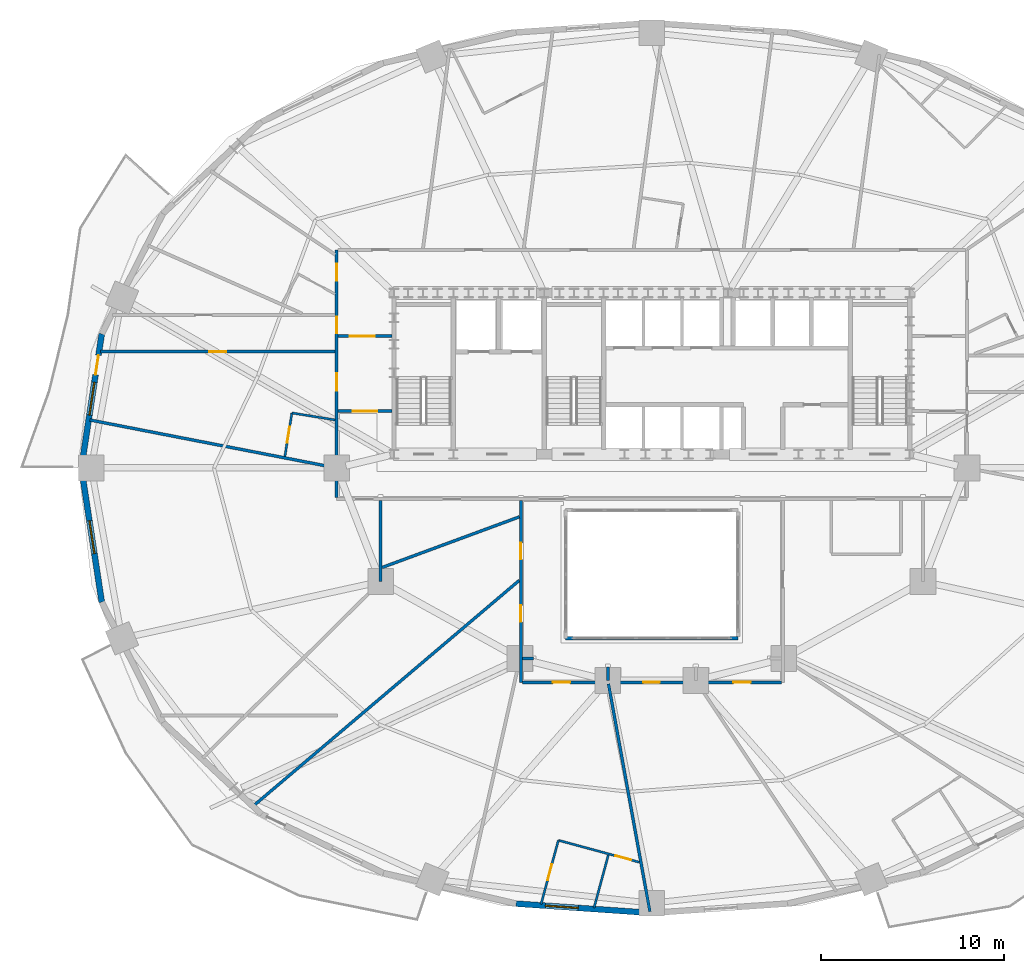
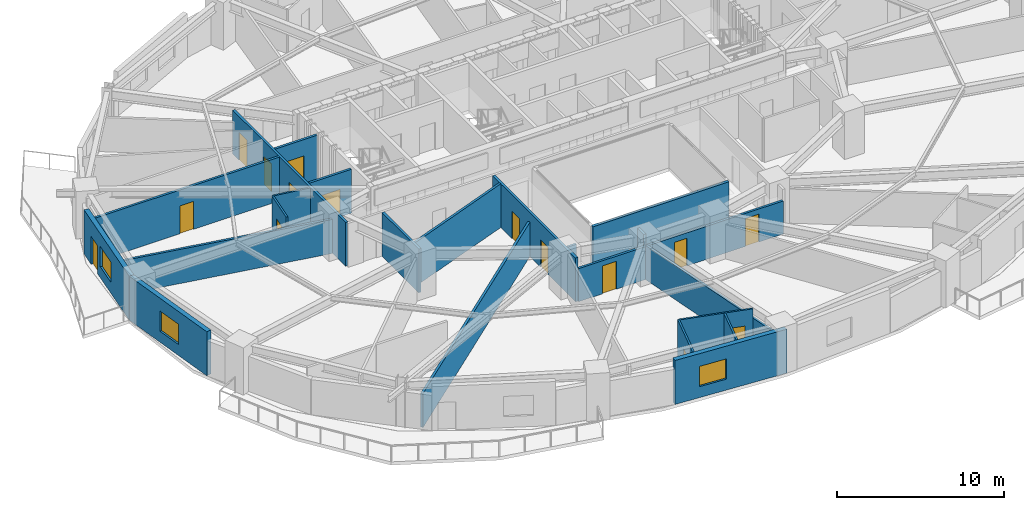
# One storey, part 9 of 17: 22 walls, 15 doors, 3 windows, 18 openings.
"""IFC4 building model written with IfcOpenShell, lengths in metres."""

from ifc_helpers import new_model, si_unit, direction, frame, frame_2d, origin, place, context, subcontext, project, spatial, rectangle, extrude, material, layer, layer_set, type_object, element, fill, save


model = new_model("IFC4")

# Units and contexts
model_context = context("Model", 3, precision=1e-05, world=origin(), true_north=direction((0.0, 1.0)))
body_context = subcontext(model_context, "Body", "Model", "MODEL_VIEW")
ifc_project = project(units=[si_unit("LENGTHUNIT", "METRE"), si_unit("AREAUNIT", "SQUARE_METRE"), si_unit("VOLUMEUNIT", "CUBIC_METRE"), si_unit("PLANEANGLEUNIT", "RADIAN"), si_unit("MASSUNIT", "GRAM", prefix="KILO")], contexts=[model_context])

# Site, building, storey
site_placement = place(None, origin())
site = spatial("IfcSite", under=ifc_project, at=site_placement, CompositionType="ELEMENT")
building_placement = place(site_placement, origin())
building = spatial("IfcBuilding", under=site, at=building_placement, Name="Haldorwick Loom Tower", CompositionType="ELEMENT")
storey_placement = place(building_placement, frame((0.0, 0.0, 51.60009765625)))
storey = spatial("IfcBuildingStorey", under=building, at=storey_placement, Name="L13", CompositionType="ELEMENT", Elevation=51.60009765625)

# Wall, openings, door, window
ifc_material_1 = material(Name="Pressed Clay Face Brick and Insulated Masonry Backup Assembly", Category="masonry")
ifc_layer_1 = layer(ifc_material_1, 0.320068359375, Name="Pressed Clay Face Brick and Insulated Masonry Backup Assembly", Category="masonry")
ifc_layer_set_1 = layer_set([ifc_layer_1], Name="Pressed Clay Face Brick and Insulated Masonry Backup Assembly")
wall_type_1 = type_object("IfcWallType", Name="ARC-WL-EXT320", PredefinedType="STANDARD", material=ifc_layer_set_1)
wall_1_placement = place(storey_placement, frame((5.978271484375, 33.320556640625, 0.0), z_axis=(0.0, 0.0, 1.0), x_axis=(-0.150476322528, -0.988613613278, 0.0)))
wall_1 = element("IfcWall", 1, at=wall_1_placement, inside=storey, type_object=wall_type_1, Name="L13 Brick Pier and Spandrel Wall 12", PredefinedType="STANDARD", context=body_context, shape_type="SweptSolid", body=[
    extrude(rectangle(XDim=7.40478515625, YDim=0.320068359375, at=frame_2d((3.702392578125, 0.0))), origin(), (0.0, 0.0, 1.0), 3.2099609375),
])
opening_1_placement = place(wall_1_placement, frame((1.1806640625, 0.0, 0.0)))
opening_1 = element("IfcOpeningElement", 2, at=opening_1_placement, cuts=wall_1, Name="Opening D-BL11", PredefinedType="OPENING", context=body_context, shape_type="SweptSolid", body=[
    extrude(rectangle(XDim=1.080078125, YDim=2.0400390625, at=frame_2d((0.5400390625, 1.02001953125))), frame((0.0, 0.169921875, 0.0), z_axis=(0.0, -1.0, 0.0), x_axis=(1.0, 0.0, 0.0)), (0.0, 0.0, 1.0), 0.340087890625),
])
opening_2_placement = place(wall_1_placement, frame((2.682373046875, 0.0, 0.800048828125)))
opening_2 = element("IfcOpeningElement", 3, at=opening_2_placement, cuts=wall_1, Name="Opening W-01", PredefinedType="OPENING", context=body_context, shape_type="SweptSolid", body=[
    extrude(rectangle(XDim=1.800048828125, YDim=1.47998046875, at=frame_2d((0.89990234375, 0.739990234375))), frame((0.0, 0.169921875, 0.0), z_axis=(0.0, -1.0, 0.0), x_axis=(1.0, 0.0, 0.0)), (0.0, 0.0, 1.0), 0.340087890625),
])
ifc_material_2 = material(Name="Thermally Broken Anodized Aluminium Curtain Wall Framing", Category="aluminium")
door_type_1 = type_object("IfcDoorType", Name="ARC-DR-BAL110", OperationType="NOTDEFINED", PredefinedType="DOOR", material=ifc_material_2)
door_1_placement = place(opening_1_placement, origin())
door_1 = element("IfcDoor", 4, at=door_1_placement, inside=storey, type_object=door_type_1, Name="L13 Outdoor Terrace Door SLB-L13-BAL_WNW", OperationType="SINGLE_SWING_RIGHT", OverallHeight=2.0400390625, OverallWidth=1.080078125, PredefinedType="DOOR", context=body_context, shape_type="SweptSolid", body=[
    extrude(rectangle(XDim=1.080078125, YDim=2.0400390625, at=frame_2d((0.5400390625, 1.02001953125))), frame((0.0, 0.02490234375, 0.0), z_axis=(0.0, -1.0, 0.0), x_axis=(1.0, 0.0, 0.0)), (0.0, 0.0, 1.0), 0.050048828125),
])
fill(opening_1, door_1)
ifc_material_3 = material(Name="Triple-Glazed Low-E Argon Insulated Glazing Unit", Category="glass")
window_type = type_object("IfcWindowType", Name="ARC-WIN-W180", PartitioningType="SINGLE_PANEL", PredefinedType="WINDOW", material=ifc_material_3)
window_1_placement = place(opening_2_placement, origin())
window_1 = element("IfcWindow", 5, at=window_1_placement, inside=storey, type_object=window_type, Name="L13 Deep-Set Zone 7A Window 12", OverallHeight=1.47998046875, OverallWidth=1.800048828125, PartitioningType="SINGLE_PANEL", PredefinedType="WINDOW", context=body_context, shape_type="SweptSolid", body=[
    extrude(rectangle(XDim=1.800048828125, YDim=1.47998046875, at=frame_2d((0.89990234375, 0.739990234375))), frame((0.0, 0.030029296875, 0.0), z_axis=(0.0, -1.0, 0.0), x_axis=(1.0, 0.0, 0.0)), (0.0, 0.0, 1.0), 0.06005859375),
])
fill(opening_2, window_1)

# Wall, opening, window
wall_2_placement = place(storey_placement, frame((4.864013671875, 26.0, 0.0), z_axis=(0.0, 0.0, 1.0), x_axis=(0.150476322528, -0.988613613278, 0.0)))
wall_2 = element("IfcWall", 6, at=wall_2_placement, inside=storey, type_object=wall_type_1, Name="L13 Brick Pier and Spandrel Wall 13", PredefinedType="STANDARD", context=body_context, shape_type="SweptSolid", body=[
    extrude(rectangle(XDim=7.40478515625, YDim=0.320068359375, at=frame_2d((3.702392578125, 0.0))), origin(), (0.0, 0.0, 1.0), 3.2099609375),
])
opening_3_placement = place(wall_2_placement, frame((2.922607421875, 0.0, 0.800048828125)))
opening_3 = element("IfcOpeningElement", 7, at=opening_3_placement, cuts=wall_2, Name="Opening W-01", PredefinedType="OPENING", context=body_context, shape_type="SweptSolid", body=[
    extrude(rectangle(XDim=1.800048828125, YDim=1.47998046875, at=frame_2d((0.89990234375, 0.739990234375))), frame((0.0, 0.169921875, 0.0), z_axis=(0.0, -1.0, 0.0), x_axis=(1.0, 0.0, 0.0)), (0.0, 0.0, 1.0), 0.340087890625),
])
window_2_placement = place(opening_3_placement, origin())
window_2 = element("IfcWindow", 8, at=window_2_placement, inside=storey, type_object=window_type, Name="L13 Deep-Set Zone 7A Window 13", OverallHeight=1.47998046875, OverallWidth=1.800048828125, PartitioningType="SINGLE_PANEL", PredefinedType="WINDOW", context=body_context, shape_type="SweptSolid", body=[
    extrude(rectangle(XDim=1.800048828125, YDim=1.47998046875, at=frame_2d((0.89990234375, 0.739990234375))), frame((0.0, 0.030029296875, 0.0), z_axis=(0.0, -1.0, 0.0), x_axis=(1.0, 0.0, 0.0)), (0.0, 0.0, 1.0), 0.06005859375),
])
fill(opening_3, window_2)

wall_3_placement = place(storey_placement, frame((28.588623046875, 2.219482421875, 0.0), z_axis=(0.0, 0.0, 1.0), x_axis=(0.997645161917, -0.068586667092, 0.0)))
wall_3 = element("IfcWall", 9, at=wall_3_placement, inside=storey, type_object=wall_type_1, Name="L13 Brick Pier and Spandrel Wall 18", PredefinedType="STANDARD", context=body_context, shape_type="SweptSolid", body=[
    extrude(rectangle(XDim=7.428955078125, YDim=0.320068359375, at=frame_2d((3.71435546875, 0.0))), origin(), (0.0, 0.0, 1.0), 3.2099609375),
])
opening_4_placement = place(wall_3_placement, frame((1.607421875, 0.0, 0.800048828125)))
opening_4 = element("IfcOpeningElement", 10, at=opening_4_placement, cuts=wall_3, Name="Opening W-01", PredefinedType="OPENING", context=body_context, shape_type="SweptSolid", body=[
    extrude(rectangle(XDim=1.800048828125, YDim=1.47998046875, at=frame_2d((0.89990234375, 0.739990234375))), frame((0.0, 0.169921875, 0.0), z_axis=(0.0, -1.0, 0.0), x_axis=(1.0, 0.0, 0.0)), (0.0, 0.0, 1.0), 0.340087890625),
])
window_3_placement = place(opening_4_placement, origin())
window_3 = element("IfcWindow", 11, at=window_3_placement, inside=storey, type_object=window_type, Name="L13 Deep-Set Zone 7A Window 18", OverallHeight=1.47998046875, OverallWidth=1.800048828125, PartitioningType="SINGLE_PANEL", PredefinedType="WINDOW", context=body_context, shape_type="SweptSolid", body=[
    extrude(rectangle(XDim=1.800048828125, YDim=1.47998046875, at=frame_2d((0.89990234375, 0.739990234375))), frame((0.0, 0.030029296875, 0.0), z_axis=(0.0, -1.0, 0.0), x_axis=(1.0, 0.0, 0.0)), (0.0, 0.0, 1.0), 0.06005859375),
])
fill(opening_4, window_3)

# Wall, openings, doors
ifc_material_4 = material(Name="Fire-Rated Type X Gypsum Stud Assembly EI 60")
ifc_layer_2 = layer(ifc_material_4, 0.159912109375, Name="Fire-Rated Type X Gypsum Stud Assembly EI 60")
ifc_layer_set_2 = layer_set([ifc_layer_2], Name="Fire-Rated Type X Gypsum Stud Assembly EI 60")
wall_type_2 = type_object("IfcWallType", Name="ARC-WL-FIRE160", PredefinedType="PARTITIONING", material=ifc_layer_set_2)
wall_4_placement = place(storey_placement, frame((18.800048828125, 24.383056640625, 0.0), z_axis=(0.0, 0.0, 1.0), x_axis=(0.0, 1.0, 0.0)))
wall_4 = element("IfcWall", 12, at=wall_4_placement, inside=storey, type_object=wall_type_2, Name="L13 Residential Fire Partition L13-CR-W0", PredefinedType="PARTITIONING", context=body_context, shape_type="SweptSolid", body=[
    extrude(rectangle(XDim=13.516845703125, YDim=0.159912109375, at=frame_2d((6.75830078125, 0.0))), origin(), (0.0, 0.0, 1.0), 3.19482421875),
])
opening_5_placement = place(wall_4_placement, frame((8.967529296875, 0.0, 0.0)))
opening_5 = element("IfcOpeningElement", 13, at=opening_5_placement, cuts=wall_4, Name="Opening D-FD60A", PredefinedType="OPENING", context=body_context, shape_type="SweptSolid", body=[
    extrude(rectangle(XDim=0.89990234375, YDim=2.0, at=frame_2d((0.449951171875, 1.0))), frame((0.0, 0.08984375, 0.0), z_axis=(0.0, -1.0, 0.0), x_axis=(1.0, 0.0, 0.0)), (0.0, 0.0, 1.0), 0.179931640625),
])
opening_6_placement = place(wall_4_placement, frame((5.84033203125, 0.0, 0.0)))
opening_6 = element("IfcOpeningElement", 14, at=opening_6_placement, cuts=wall_4, Name="Opening D-FL95", PredefinedType="OPENING", context=body_context, shape_type="SweptSolid", body=[
    extrude(rectangle(XDim=0.949951171875, YDim=2.0400390625, at=frame_2d((0.47509765625, 1.02001953125))), frame((0.0, 0.08984375, 0.0), z_axis=(0.0, -1.0, 0.0), x_axis=(1.0, 0.0, 0.0)), (0.0, 0.0, 1.0), 0.179931640625),
])
opening_7_placement = place(wall_4_placement, frame((11.8232421875, 0.0, 0.0)))
opening_7 = element("IfcOpeningElement", 15, at=opening_7_placement, cuts=wall_4, Name="Opening D-FL95", PredefinedType="OPENING", context=body_context, shape_type="SweptSolid", body=[
    extrude(rectangle(XDim=0.949951171875, YDim=2.0400390625, at=frame_2d((0.47509765625, 1.02001953125))), frame((0.0, 0.08984375, 0.0), z_axis=(0.0, -1.0, 0.0), x_axis=(1.0, 0.0, 0.0)), (0.0, 0.0, 1.0), 0.179931640625),
])
ifc_material_5 = material(Name="Hollow Steel Fire Door Assembly", Category="steel")
door_type_2 = type_object("IfcDoorType", Name="ARC-DR-FD60-90", OperationType="NOTDEFINED", PredefinedType="DOOR", material=ifc_material_5)
door_2_placement = place(opening_5_placement, origin())
door_2 = element("IfcDoor", 16, at=door_2_placement, inside=storey, type_object=door_type_2, Name="L13 L13 West Daylight Corridor to L13 North Residential Corridor Door", OperationType="SINGLE_SWING_RIGHT", OverallHeight=2.0, OverallWidth=0.89990234375, PredefinedType="DOOR", context=body_context, shape_type="SweptSolid", body=[
    extrude(rectangle(XDim=0.89990234375, YDim=2.0, at=frame_2d((0.449951171875, 1.0))), frame((0.0, 0.02490234375, 0.0), z_axis=(0.0, -1.0, 0.0), x_axis=(1.0, 0.0, 0.0)), (0.0, 0.0, 1.0), 0.050048828125),
])
fill(opening_5, door_2)
ifc_material_6 = material(Name="Solid Core Birch Architectural Door")
door_type_3 = type_object("IfcDoorType", Name="ARC-DR-FLAT95", OperationType="NOTDEFINED", PredefinedType="DOOR", material=ifc_material_6)
door_3_placement = place(opening_6_placement, frame((0.949951171875, 0.0, 0.0), z_axis=(0.0, 0.0, 1.0), x_axis=(-1.0, 0.0, 0.0)))
door_3 = element("IfcDoor", 17, at=door_3_placement, inside=storey, type_object=door_type_3, Name="L13 Unit 13D Kitchen and Studio Living Room to L13 West Residential Corr", OperationType="SINGLE_SWING_RIGHT", OverallHeight=2.0400390625, OverallWidth=0.949951171875, PredefinedType="DOOR", context=body_context, shape_type="SweptSolid", body=[
    extrude(rectangle(XDim=0.949951171875, YDim=2.0400390625, at=frame_2d((0.47509765625, 1.02001953125))), frame((0.0, 0.02490234375, 0.0), z_axis=(0.0, -1.0, 0.0), x_axis=(1.0, 0.0, 0.0)), (0.0, 0.0, 1.0), 0.050048828125),
])
fill(opening_6, door_3)
door_4_placement = place(opening_7_placement, frame((0.949951171875, 0.0, 0.0), z_axis=(0.0, 0.0, 1.0), x_axis=(-1.0, 0.0, 0.0)))
door_4 = element("IfcDoor", 18, at=door_4_placement, inside=storey, type_object=door_type_3, Name="L13 Unit 13L Kitchen and Studio Living Room to L13 North Residential Cor", OperationType="SINGLE_SWING_LEFT", OverallHeight=2.0400390625, OverallWidth=0.949951171875, PredefinedType="DOOR", context=body_context, shape_type="SweptSolid", body=[
    extrude(rectangle(XDim=0.949951171875, YDim=2.0400390625, at=frame_2d((0.47509765625, 1.02001953125))), frame((0.0, 0.02490234375, 0.0), z_axis=(0.0, -1.0, 0.0), x_axis=(1.0, 0.0, 0.0)), (0.0, 0.0, 1.0), 0.050048828125),
])
fill(opening_7, door_4)

# Wall, opening, door
wall_5_placement = place(storey_placement, frame((18.883056640625, 29.10009765625, 0.0), z_axis=(0.0, 0.0, 1.0), x_axis=(1.0, 0.0, 0.0)))
wall_5 = element("IfcWall", 19, at=wall_5_placement, inside=storey, type_object=wall_type_2, Name="L13 Residential Fire Partition L13-CR-WSJ", PredefinedType="PARTITIONING", context=body_context, shape_type="SweptSolid", body=[
    extrude(rectangle(XDim=2.923828125, YDim=0.159912109375, at=frame_2d((1.4619140625, 0.0))), origin(), (0.0, 0.0, 1.0), 3.19482421875),
])
opening_8_placement = place(wall_5_placement, frame((0.787109375, 0.0, 0.0)))
opening_8 = element("IfcOpeningElement", 20, at=opening_8_placement, cuts=wall_5, Name="Opening D-CR15", PredefinedType="OPENING", context=body_context, shape_type="SweptSolid", body=[
    extrude(rectangle(XDim=1.35009765625, YDim=2.0, at=frame_2d((0.675048828125, 1.0))), frame((0.0, 0.08984375, 0.0), z_axis=(0.0, -1.0, 0.0), x_axis=(1.0, 0.0, 0.0)), (0.0, 0.0, 1.0), 0.179931640625),
])
ifc_material_7 = material(Name="Thermally Broken Anodized Aluminium and Tempered Glass", Category="aluminium")
door_type_4 = type_object("IfcDoorType", Name="ARC-DR-COR150", OperationType="NOTDEFINED", PredefinedType="DOOR", material=ifc_material_7)
door_5_placement = place(opening_8_placement, origin())
door_5 = element("IfcDoor", 21, at=door_5_placement, inside=storey, type_object=door_type_4, Name="L13 L13 West Residential Corridor to L13 Central Residential Corridor Do", OperationType="DOUBLE_DOOR_SINGLE_SWING", OverallHeight=2.0, OverallWidth=1.35009765625, PredefinedType="DOOR", context=body_context, shape_type="SweptSolid", body=[
    extrude(rectangle(XDim=1.35009765625, YDim=2.0, at=frame_2d((0.675048828125, 1.0))), frame((0.0, 0.02490234375, 0.0), z_axis=(0.0, -1.0, 0.0), x_axis=(1.0, 0.0, 0.0)), (0.0, 0.0, 1.0), 0.050048828125),
])
fill(opening_8, door_5)

wall_6_placement = place(storey_placement, frame((18.883056640625, 33.199951171875, 0.0), z_axis=(0.0, 0.0, 1.0), x_axis=(1.0, 0.0, 0.0)))
wall_6 = element("IfcWall", 22, at=wall_6_placement, inside=storey, type_object=wall_type_2, Name="L13 Residential Fire Partition L13-CR-WNJ", PredefinedType="PARTITIONING", context=body_context, shape_type="SweptSolid", body=[
    extrude(rectangle(XDim=2.923828125, YDim=0.159912109375, at=frame_2d((1.4619140625, 0.0))), origin(), (0.0, 0.0, 1.0), 3.19482421875),
])
opening_9_placement = place(wall_6_placement, frame((0.637939453125, 0.0, 0.0)))
opening_9 = element("IfcOpeningElement", 23, at=opening_9_placement, cuts=wall_6, Name="Opening D-CR15", PredefinedType="OPENING", context=body_context, shape_type="SweptSolid", body=[
    extrude(rectangle(XDim=1.35009765625, YDim=2.0, at=frame_2d((0.675048828125, 1.0))), frame((0.0, 0.08984375, 0.0), z_axis=(0.0, -1.0, 0.0), x_axis=(1.0, 0.0, 0.0)), (0.0, 0.0, 1.0), 0.179931640625),
])
door_6_placement = place(opening_9_placement, origin())
door_6 = element("IfcDoor", 24, at=door_6_placement, inside=storey, type_object=door_type_4, Name="L13 L13 North Residential Corridor to L13 West Residential Corridor Door", OperationType="DOUBLE_DOOR_SINGLE_SWING", OverallHeight=2.0, OverallWidth=1.35009765625, PredefinedType="DOOR", context=body_context, shape_type="SweptSolid", body=[
    extrude(rectangle(XDim=1.35009765625, YDim=2.0, at=frame_2d((0.675048828125, 1.0))), frame((0.0, 0.02490234375, 0.0), z_axis=(0.0, -1.0, 0.0), x_axis=(1.0, 0.0, 0.0)), (0.0, 0.0, 1.0), 0.050048828125),
])
fill(opening_9, door_6)

# Wall, openings, doors
wall_7_placement = place(storey_placement, frame((28.85009765625, 14.300048828125, 0.0), z_axis=(0.0, 0.0, 1.0), x_axis=(0.0, 1.0, 0.0)))
wall_7 = element("IfcWall", 25, at=wall_7_placement, inside=storey, type_object=wall_type_2, Name="L13 Residential Fire Partition L13-CR-AW", PredefinedType="PARTITIONING", context=body_context, shape_type="SweptSolid", body=[
    extrude(rectangle(XDim=9.9169921875, YDim=0.159912109375, at=frame_2d((4.95849609375, 0.0))), origin(), (0.0, 0.0, 1.0), 3.19482421875),
])
opening_10_placement = place(wall_7_placement, frame((3.30029296875, 0.0, 0.0)))
opening_10 = element("IfcOpeningElement", 26, at=opening_10_placement, cuts=wall_7, Name="Opening D-FD60A", PredefinedType="OPENING", context=body_context, shape_type="SweptSolid", body=[
    extrude(rectangle(XDim=0.89990234375, YDim=2.0, at=frame_2d((0.449951171875, 1.0))), frame((0.0, 0.08984375, 0.0), z_axis=(0.0, -1.0, 0.0), x_axis=(1.0, 0.0, 0.0)), (0.0, 0.0, 1.0), 0.179931640625),
])
opening_11_placement = place(wall_7_placement, frame((6.71240234375, 0.0, 0.0)))
opening_11 = element("IfcOpeningElement", 27, at=opening_11_placement, cuts=wall_7, Name="Opening D-FD60A", PredefinedType="OPENING", context=body_context, shape_type="SweptSolid", body=[
    extrude(rectangle(XDim=0.89990234375, YDim=2.0, at=frame_2d((0.449951171875, 1.0))), frame((0.0, 0.08984375, 0.0), z_axis=(0.0, -1.0, 0.0), x_axis=(1.0, 0.0, 0.0)), (0.0, 0.0, 1.0), 0.179931640625),
])
door_7_placement = place(opening_10_placement, frame((0.89990234375, 0.0, 0.0), z_axis=(0.0, 0.0, 1.0), x_axis=(-1.0, 0.0, 0.0)))
door_7 = element("IfcDoor", 28, at=door_7_placement, inside=storey, type_object=door_type_2, Name="L13 Co-Working Open Office 14 to L13 South Atrium Corridor Door", OperationType="SINGLE_SWING_LEFT", OverallHeight=2.0, OverallWidth=0.89990234375, PredefinedType="DOOR", context=body_context, shape_type="SweptSolid", body=[
    extrude(rectangle(XDim=0.89990234375, YDim=2.0, at=frame_2d((0.449951171875, 1.0))), frame((0.0, 0.02490234375, 0.0), z_axis=(0.0, -1.0, 0.0), x_axis=(1.0, 0.0, 0.0)), (0.0, 0.0, 1.0), 0.050048828125),
])
fill(opening_10, door_7)
door_8_placement = place(opening_11_placement, frame((0.89990234375, 0.0, 0.0), z_axis=(0.0, 0.0, 1.0), x_axis=(-1.0, 0.0, 0.0)))
door_8 = element("IfcDoor", 29, at=door_8_placement, inside=storey, type_object=door_type_2, Name="L13 Co-Working Open Office 9 to L13 South Atrium Corridor Door", OperationType="SINGLE_SWING_LEFT", OverallHeight=2.0, OverallWidth=0.89990234375, PredefinedType="DOOR", context=body_context, shape_type="SweptSolid", body=[
    extrude(rectangle(XDim=0.89990234375, YDim=2.0, at=frame_2d((0.449951171875, 1.0))), frame((0.0, 0.02490234375, 0.0), z_axis=(0.0, -1.0, 0.0), x_axis=(1.0, 0.0, 0.0)), (0.0, 0.0, 1.0), 0.050048828125),
])
fill(opening_11, door_8)

wall_8_placement = place(storey_placement, frame((28.93310546875, 14.300048828125, 0.0), z_axis=(0.0, 0.0, 1.0), x_axis=(1.0, 0.0, 0.0)))
wall_8 = element("IfcWall", 30, at=wall_8_placement, inside=storey, type_object=wall_type_2, Name="L13 Residential Fire Partition L13-CR-AS", PredefinedType="PARTITIONING", context=body_context, shape_type="SweptSolid", body=[
    extrude(rectangle(XDim=14.1337890625, YDim=0.159912109375, at=frame_2d((7.06689453125, 0.0))), origin(), (0.0, 0.0, 1.0), 2.411865234375),
])
opening_12_placement = place(wall_8_placement, frame((6.606689453125, 0.0, 0.0)))
opening_12 = element("IfcOpeningElement", 31, at=opening_12_placement, cuts=wall_8, Name="Opening D-FD88", PredefinedType="OPENING", context=body_context, shape_type="SweptSolid", body=[
    extrude(rectangle(XDim=0.8798828125, YDim=2.02001953125, at=frame_2d((0.43994140625, 1.010009765625))), frame((0.0, 0.08984375, 0.0), z_axis=(0.0, -1.0, 0.0), x_axis=(1.0, 0.0, 0.0)), (0.0, 0.0, 1.0), 0.179931640625),
])
opening_13_placement = place(wall_8_placement, frame((1.66259765625, 0.0, 0.0)))
opening_13 = element("IfcOpeningElement", 32, at=opening_13_placement, cuts=wall_8, Name="Opening D-FL95", PredefinedType="OPENING", context=body_context, shape_type="SweptSolid", body=[
    extrude(rectangle(XDim=0.949951171875, YDim=2.0400390625, at=frame_2d((0.47509765625, 1.02001953125))), frame((0.0, 0.08984375, 0.0), z_axis=(0.0, -1.0, 0.0), x_axis=(1.0, 0.0, 0.0)), (0.0, 0.0, 1.0), 0.179931640625),
])
opening_14_placement = place(wall_8_placement, frame((11.5126953125, 0.0, 0.0)))
opening_14 = element("IfcOpeningElement", 33, at=opening_14_placement, cuts=wall_8, Name="Opening D-FL95", PredefinedType="OPENING", context=body_context, shape_type="SweptSolid", body=[
    extrude(rectangle(XDim=0.949951171875, YDim=2.0400390625, at=frame_2d((0.47509765625, 1.02001953125))), frame((0.0, 0.08984375, 0.0), z_axis=(0.0, -1.0, 0.0), x_axis=(1.0, 0.0, 0.0)), (0.0, 0.0, 1.0), 0.179931640625),
])
door_type_5 = type_object("IfcDoorType", Name="ARC-DR-FD60-88", OperationType="NOTDEFINED", PredefinedType="DOOR", material=ifc_material_5)
door_9_placement = place(opening_12_placement, origin())
door_9 = element("IfcDoor", 34, at=door_9_placement, inside=storey, type_object=door_type_5, Name="L13 L13 South Atrium Corridor to Co-Working Open Office 1 Door", OperationType="SINGLE_SWING_RIGHT", OverallHeight=2.02001953125, OverallWidth=0.8798828125, PredefinedType="DOOR", context=body_context, shape_type="SweptSolid", body=[
    extrude(rectangle(XDim=0.8798828125, YDim=2.02001953125, at=frame_2d((0.43994140625, 1.010009765625))), frame((0.0, 0.02490234375, 0.0), z_axis=(0.0, -1.0, 0.0), x_axis=(1.0, 0.0, 0.0)), (0.0, 0.0, 1.0), 0.050048828125),
])
fill(opening_12, door_9)
door_10_placement = place(opening_13_placement, origin())
door_10 = element("IfcDoor", 35, at=door_10_placement, inside=storey, type_object=door_type_3, Name="L13 L13 South Atrium Corridor to Unit 13B Kitchen and Living Room Door", OperationType="SINGLE_SWING_RIGHT", OverallHeight=2.0400390625, OverallWidth=0.949951171875, PredefinedType="DOOR", context=body_context, shape_type="SweptSolid", body=[
    extrude(rectangle(XDim=0.949951171875, YDim=2.0400390625, at=frame_2d((0.47509765625, 1.02001953125))), frame((0.0, 0.02490234375, 0.0), z_axis=(0.0, -1.0, 0.0), x_axis=(1.0, 0.0, 0.0)), (0.0, 0.0, 1.0), 0.050048828125),
])
fill(opening_13, door_10)
door_11_placement = place(opening_14_placement, origin())
door_11 = element("IfcDoor", 36, at=door_11_placement, inside=storey, type_object=door_type_3, Name="L13 L13 South Atrium Corridor to Unit 13C Kitchen and Living Room Door", OperationType="SINGLE_SWING_RIGHT", OverallHeight=2.0400390625, OverallWidth=0.949951171875, PredefinedType="DOOR", context=body_context, shape_type="SweptSolid", body=[
    extrude(rectangle(XDim=0.949951171875, YDim=2.0400390625, at=frame_2d((0.47509765625, 1.02001953125))), frame((0.0, 0.02490234375, 0.0), z_axis=(0.0, -1.0, 0.0), x_axis=(1.0, 0.0, 0.0)), (0.0, 0.0, 1.0), 0.050048828125),
])
fill(opening_14, door_11)

# Wall, opening, door
wall_9_placement = place(storey_placement, frame((5.896240234375, 32.35009765625, 0.0), z_axis=(0.0, 0.0, 1.0), x_axis=(1.0, 0.0, 0.0)))
wall_9 = element("IfcWall", 37, at=wall_9_placement, inside=storey, type_object=wall_type_2, Name="L13 Residential Fire Partition L13-CR-GW0", PredefinedType="PARTITIONING", context=body_context, shape_type="SweptSolid", body=[
    extrude(rectangle(XDim=12.82080078125, YDim=0.159912109375, at=frame_2d((6.410400390625, 0.0))), origin(), (0.0, 0.0, 1.0), 3.19482421875),
])
opening_15_placement = place(wall_9_placement, frame((5.935302734375, 0.0, 0.0)))
opening_15 = element("IfcOpeningElement", 38, at=opening_15_placement, cuts=wall_9, Name="Opening D-FL95", PredefinedType="OPENING", context=body_context, shape_type="SweptSolid", body=[
    extrude(rectangle(XDim=0.949951171875, YDim=2.0400390625, at=frame_2d((0.47509765625, 1.02001953125))), frame((0.0, 0.08984375, 0.0), z_axis=(0.0, -1.0, 0.0), x_axis=(1.0, 0.0, 0.0)), (0.0, 0.0, 1.0), 0.179931640625),
])
door_12_placement = place(opening_15_placement, origin())
door_12 = element("IfcDoor", 39, at=door_12_placement, inside=storey, type_object=door_type_3, Name="L13 L13 West Daylight Corridor to Unit 13D Kitchen and Studio Living Roo", OperationType="SINGLE_SWING_RIGHT", OverallHeight=2.0400390625, OverallWidth=0.949951171875, PredefinedType="DOOR", context=body_context, shape_type="SweptSolid", body=[
    extrude(rectangle(XDim=0.949951171875, YDim=2.0400390625, at=frame_2d((0.47509765625, 1.02001953125))), frame((0.0, 0.02490234375, 0.0), z_axis=(0.0, -1.0, 0.0), x_axis=(1.0, 0.0, 0.0)), (0.0, 0.0, 1.0), 0.050048828125),
])
fill(opening_15, door_12)

# Walls
wall_10_placement = place(storey_placement, frame((33.63330078125, 14.217041015625, 0.0), z_axis=(0.0, 0.0, 1.0), x_axis=(0.17898742878, -0.983851360897, 0.0)))
element("IfcWall", 40, at=wall_10_placement, inside=storey, type_object=wall_type_2, Name="L13 Residential Fire Partition L13-ICR-08", PredefinedType="PARTITIONING", context=body_context, shape_type="SweptSolid", body=[
    extrude(rectangle(XDim=12.638916015625, YDim=0.159912109375, at=frame_2d((6.3193359375, 0.0))), origin(), (0.0, 0.0, 1.0), 2.489990234375),
])
wall_11_placement = place(storey_placement, frame((18.717041015625, 26.01611328125, 0.0), z_axis=(0.0, 0.0, 1.0), x_axis=(-0.98162656706, 0.190812166391, 0.0)))
element("IfcWall", 41, at=wall_11_placement, inside=storey, type_object=wall_type_2, Name="L13 Residential Fire Partition L13-ICR-13", PredefinedType="PARTITIONING", context=body_context, shape_type="SweptSolid", body=[
    extrude(rectangle(XDim=13.63916015625, YDim=0.159912109375, at=frame_2d((6.819580078125, 0.0))), origin(), (0.0, 0.0, 1.0), 2.489990234375),
])
wall_12_placement = place(storey_placement, frame((33.60009765625, 15.14990234375, 0.0), z_axis=(0.0, 0.0, 1.0), x_axis=(0.0, -1.0, 0.0)))
element("IfcWall", 42, at=wall_12_placement, inside=storey, type_object=wall_type_2, Name="L13 Residential Fire Partition L13-ICA-07", PredefinedType="PARTITIONING", context=body_context, shape_type="SweptSolid", body=[
    extrude(rectangle(XDim=0.75, YDim=0.159912109375, at=frame_2d((0.375, 0.0))), origin(), (0.0, 0.0, 1.0), 3.19482421875),
])
wall_13_placement = place(storey_placement, frame((29.550048828125, 15.60009765625, 0.0), z_axis=(0.0, 0.0, 1.0), x_axis=(-1.0, 0.0, 0.0)))
element("IfcWall", 43, at=wall_13_placement, inside=storey, type_object=wall_type_2, Name="L13 Residential Fire Partition L13-ICA-09", PredefinedType="PARTITIONING", context=body_context, shape_type="SweptSolid", body=[
    extrude(rectangle(XDim=0.616943359375, YDim=0.159912109375, at=frame_2d((0.30859375, 0.0))), origin(), (0.0, 0.0, 1.0), 3.19482421875),
])
wall_14_placement = place(storey_placement, frame((21.199951171875, 24.217041015625, 0.0), z_axis=(0.0, 0.0, 1.0), x_axis=(0.0, -1.0, 0.0)))
element("IfcWall", 44, at=wall_14_placement, inside=storey, type_object=wall_type_2, Name="L13 Residential Fire Partition L13-ICA-11", PredefinedType="PARTITIONING", context=body_context, shape_type="SweptSolid", body=[
    extrude(rectangle(XDim=4.4169921875, YDim=0.159912109375, at=frame_2d((2.20849609375, 0.0))), origin(), (0.0, 0.0, 1.0), 3.19482421875),
])
wall_15_placement = place(storey_placement, frame((28.76708984375, 23.3310546875, 0.0), z_axis=(0.0, 0.0, 1.0), x_axis=(-0.938173710474, -0.346164829201, 0.0)))
element("IfcWall", 45, at=wall_15_placement, inside=storey, type_object=wall_type_2, Name="L13 Suite Split Wall", PredefinedType="PARTITIONING", context=body_context, shape_type="SweptSolid", body=[
    extrude(rectangle(XDim=7.977294921875, YDim=0.159912109375, at=frame_2d((3.98876953125, 0.0))), origin(), (0.0, 0.0, 1.0), 3.19482421875),
])
wall_16_placement = place(storey_placement, frame((28.76708984375, 19.86572265625, 0.0), z_axis=(0.0, 0.0, 1.0), x_axis=(-0.762657447098, -0.646802611611, 0.0)))
element("IfcWall", 46, at=wall_16_placement, inside=storey, type_object=wall_type_2, Name="L13 Suite Split Wall", PredefinedType="PARTITIONING", context=body_context, shape_type="SweptSolid", body=[
    extrude(rectangle(XDim=18.9951171875, YDim=0.159912109375, at=frame_2d((9.49755859375, 0.0))), origin(), (0.0, 0.0, 1.0), 2.489990234375),
])
ifc_material_8 = material(Name="Fire-Rated Type X Gypsum Stud Assembly EI 120")
ifc_layer_3 = layer(ifc_material_8, 0.199951171875, Name="Fire-Rated Type X Gypsum Stud Assembly EI 120")
ifc_layer_set_3 = layer_set([ifc_layer_3], Name="Fire-Rated Type X Gypsum Stud Assembly EI 120")
wall_type_3 = type_object("IfcWallType", Name="ARC-WL-FIRE200", PredefinedType="PARTITIONING", material=ifc_layer_set_3)
wall_17_placement = place(storey_placement, frame((40.699951171875, 16.699951171875, 0.0), z_axis=(0.0, 0.0, 1.0), x_axis=(-1.0, 0.0, 0.0)))
element("IfcWall", 47, at=wall_17_placement, inside=storey, type_object=wall_type_3, Name="L13 Atrium Fire Enclosure Wall S", PredefinedType="PARTITIONING", context=body_context, shape_type="SweptSolid", body=[
    extrude(rectangle(XDim=9.39990234375, YDim=0.199951171875, at=frame_2d((4.699951171875, 0.0))), origin(), (0.0, 0.0, 1.0), 3.19482421875),
])

# Wall, opening, door
ifc_material_9 = material(Name="Acoustic Gypsum Stud Assembly STC 55")
ifc_layer_4 = layer(ifc_material_9, 0.1201171875, Name="Acoustic Gypsum Stud Assembly STC 55")
ifc_layer_set_4 = layer_set([ifc_layer_4], Name="Acoustic Gypsum Stud Assembly STC 55")
wall_type_4 = type_object("IfcWallType", Name="ARC-WL-PART120", PredefinedType="PARTITIONING", material=ifc_layer_set_4)
wall_18_placement = place(storey_placement, frame((30.89990234375, 5.679443359375, 0.0), z_axis=(0.0, 0.0, 1.0), x_axis=(0.965151510703, -0.26169172969, 0.0)))
wall_18 = element("IfcWall", 48, at=wall_18_placement, inside=storey, type_object=wall_type_4, Name="L13 Unit 13B Interior Partition", PredefinedType="PARTITIONING", context=body_context, shape_type="SweptSolid", body=[
    extrude(rectangle(XDim=4.579833984375, YDim=0.1201171875, at=frame_2d((2.2900390625, 0.0))), origin(), (0.0, 0.0, 1.0), 3.19482421875),
])
opening_16_placement = place(wall_18_placement, frame((3.223876953125, 0.0, 0.0)))
opening_16 = element("IfcOpeningElement", 49, at=opening_16_placement, cuts=wall_18, Name="Opening D-BT88", PredefinedType="OPENING", context=body_context, shape_type="SweptSolid", body=[
    extrude(rectangle(XDim=0.8798828125, YDim=2.02001953125, at=frame_2d((0.43994140625, 1.010009765625))), frame((0.0, 0.070068359375, 0.0), z_axis=(0.0, -1.0, 0.0), x_axis=(1.0, 0.0, 0.0)), (0.0, 0.0, 1.0), 0.14013671875),
])
door_type_6 = type_object("IfcDoorType", Name="ARC-DR-BATH88", OperationType="NOTDEFINED", PredefinedType="DOOR", material=ifc_material_6)
door_13_placement = place(opening_16_placement, origin())
door_13 = element("IfcDoor", 50, at=door_13_placement, inside=storey, type_object=door_type_6, Name="L13 Unit 13B Kitchen and Living Room to Unit 13B Bathroom Door", OperationType="SINGLE_SWING_LEFT", OverallHeight=2.02001953125, OverallWidth=0.8798828125, PredefinedType="DOOR", context=body_context, shape_type="SweptSolid", body=[
    extrude(rectangle(XDim=0.8798828125, YDim=2.02001953125, at=frame_2d((0.43994140625, 1.010009765625))), frame((0.0, 0.02490234375, 0.0), z_axis=(0.0, -1.0, 0.0), x_axis=(1.0, 0.0, 0.0)), (0.0, 0.0, 1.0), 0.050048828125),
])
fill(opening_16, door_13)

wall_19_placement = place(storey_placement, frame((30.89990234375, 5.679443359375, 0.0), z_axis=(0.0, 0.0, 1.0), x_axis=(-0.2616711178, -0.965157099186, 0.0)))
wall_19 = element("IfcWall", 51, at=wall_19_placement, inside=storey, type_object=wall_type_4, Name="L13 Unit 13B Interior Partition", PredefinedType="PARTITIONING", context=body_context, shape_type="SweptSolid", body=[
    extrude(rectangle(XDim=3.614501953125, YDim=0.1201171875, at=frame_2d((1.80712890625, 0.0))), origin(), (0.0, 0.0, 1.0), 3.19482421875),
])
opening_17_placement = place(wall_19_placement, frame((1.357421875, 0.0, 0.0)))
opening_17 = element("IfcOpeningElement", 52, at=opening_17_placement, cuts=wall_19, Name="Opening D-IN90", PredefinedType="OPENING", context=body_context, shape_type="SweptSolid", body=[
    extrude(rectangle(XDim=0.89990234375, YDim=2.0400390625, at=frame_2d((0.449951171875, 1.02001953125))), frame((0.0, 0.070068359375, 0.0), z_axis=(0.0, -1.0, 0.0), x_axis=(1.0, 0.0, 0.0)), (0.0, 0.0, 1.0), 0.14013671875),
])
door_type_7 = type_object("IfcDoorType", Name="ARC-DR-INT90", OperationType="NOTDEFINED", PredefinedType="DOOR", material=ifc_material_6)
door_14_placement = place(opening_17_placement, origin())
door_14 = element("IfcDoor", 53, at=door_14_placement, inside=storey, type_object=door_type_7, Name="L13 Unit 13B Bedroom 1 to Unit 13B Kitchen and Living Room Door", OperationType="SINGLE_SWING_LEFT", OverallHeight=2.0400390625, OverallWidth=0.89990234375, PredefinedType="DOOR", context=body_context, shape_type="SweptSolid", body=[
    extrude(rectangle(XDim=0.89990234375, YDim=2.0400390625, at=frame_2d((0.449951171875, 1.02001953125))), frame((0.0, 0.02490234375, 0.0), z_axis=(0.0, -1.0, 0.0), x_axis=(1.0, 0.0, 0.0)), (0.0, 0.0, 1.0), 0.050048828125),
])
fill(opening_17, door_14)

# Wall
wall_20_placement = place(storey_placement, frame((33.62646484375, 4.875, 0.0), z_axis=(0.0, 0.0, 1.0), x_axis=(-0.261643925472, -0.965164471095, 0.0)))
element("IfcWall", 54, at=wall_20_placement, inside=storey, type_object=wall_type_4, Name="L13 Unit 13B Interior Partition", PredefinedType="PARTITIONING", context=body_context, shape_type="SweptSolid", body=[
    extrude(rectangle(XDim=2.98681640625, YDim=0.1201171875, at=frame_2d((1.493408203125, 0.0))), origin(), (0.0, 0.0, 1.0), 3.19482421875),
])

# Wall, opening, door
wall_21_placement = place(storey_placement, frame((16.355712890625, 29.002685546875, 0.0), z_axis=(0.0, 0.0, 1.0), x_axis=(-0.159446776603, -0.98720652623, 0.0)))
wall_21 = element("IfcWall", 55, at=wall_21_placement, inside=storey, type_object=wall_type_4, Name="L13 Unit 13D Interior Partition", PredefinedType="PARTITIONING", context=body_context, shape_type="SweptSolid", body=[
    extrude(rectangle(XDim=2.3994140625, YDim=0.1201171875, at=frame_2d((1.19970703125, 0.0))), origin(), (0.0, 0.0, 1.0), 3.19482421875),
])
opening_18_placement = place(wall_21_placement, frame((0.759765625, 0.0, 0.0)))
opening_18 = element("IfcOpeningElement", 56, at=opening_18_placement, cuts=wall_21, Name="Opening D-BT88", PredefinedType="OPENING", context=body_context, shape_type="SweptSolid", body=[
    extrude(rectangle(XDim=0.8798828125, YDim=2.02001953125, at=frame_2d((0.43994140625, 1.010009765625))), frame((0.0, 0.070068359375, 0.0), z_axis=(0.0, -1.0, 0.0), x_axis=(1.0, 0.0, 0.0)), (0.0, 0.0, 1.0), 0.14013671875),
])
door_15_placement = place(opening_18_placement, origin())
door_15 = element("IfcDoor", 57, at=door_15_placement, inside=storey, type_object=door_type_6, Name="L13 Unit 13D Bathroom to Unit 13D Kitchen and Studio Living Room Door", OperationType="SINGLE_SWING_LEFT", OverallHeight=2.02001953125, OverallWidth=0.8798828125, PredefinedType="DOOR", context=body_context, shape_type="SweptSolid", body=[
    extrude(rectangle(XDim=0.8798828125, YDim=2.02001953125, at=frame_2d((0.43994140625, 1.010009765625))), frame((0.0, 0.02490234375, 0.0), z_axis=(0.0, -1.0, 0.0), x_axis=(1.0, 0.0, 0.0)), (0.0, 0.0, 1.0), 0.050048828125),
])
fill(opening_18, door_15)

# Wall
wall_22_placement = place(storey_placement, frame((18.717041015625, 28.621337890625, 0.0), z_axis=(0.0, 0.0, 1.0), x_axis=(-0.987209010081, 0.159431397203, 0.0)))
element("IfcWall", 58, at=wall_22_placement, inside=storey, type_object=wall_type_4, Name="L13 Unit 13D Interior Partition", PredefinedType="PARTITIONING", context=body_context, shape_type="SweptSolid", body=[
    extrude(rectangle(XDim=2.391845703125, YDim=0.1201171875, at=frame_2d((1.19580078125, 0.0))), origin(), (0.0, 0.0, 1.0), 3.19482421875),
])

save(model, "model.ifc")
